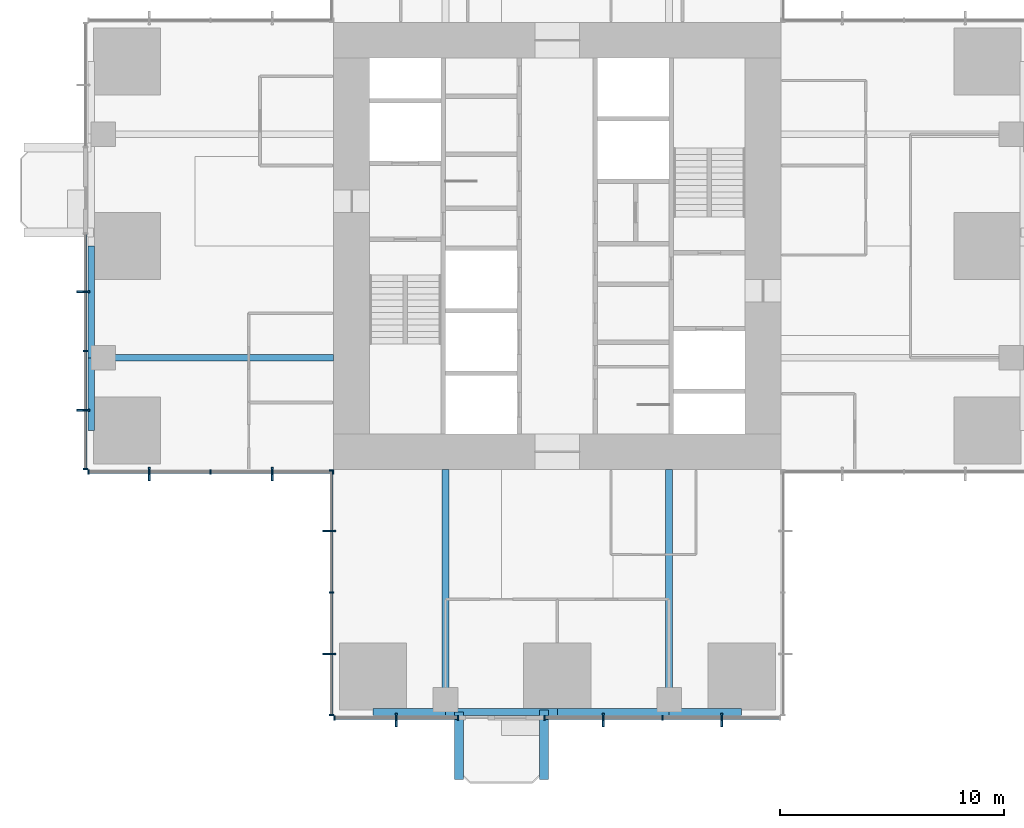
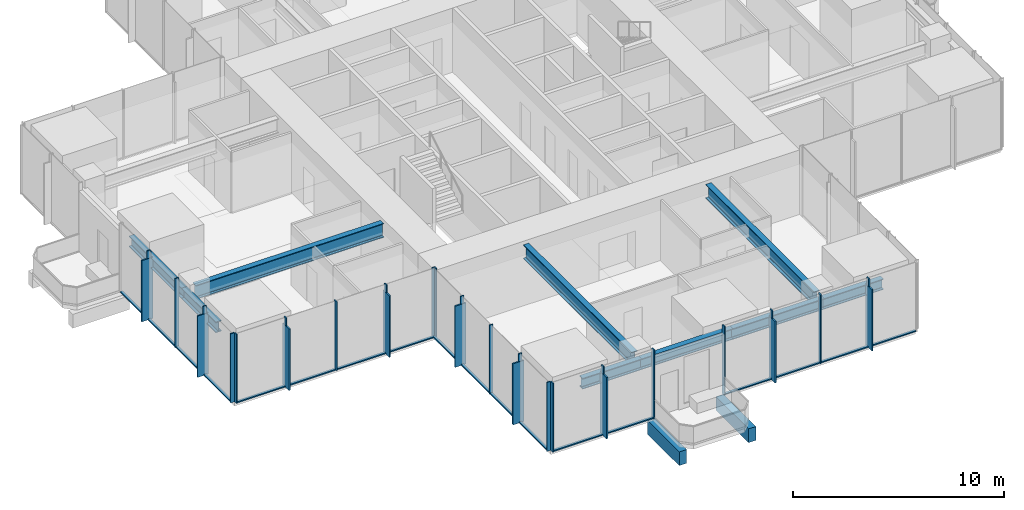
# One storey, part 2 of 13: 48 members, 11 beams, 5 elements without a shape of their own.
"""IFC4 building model written with IfcOpenShell, lengths in metres."""

from ifc_helpers import new_model, si_unit, direction, frame, origin, origin_2d, place, context, subcontext, project, spatial, rectangle, i_section, extrude, material, material_profile, profile_set, type_object, element, aggregate, save


model = new_model("IFC4")

# Units and contexts
model_context = context("Model", 3, precision=1e-05, world=origin(), true_north=direction((0.0, 1.0)))
body_context = subcontext(model_context, "Body", "Model", "MODEL_VIEW")
ifc_project = project(units=[si_unit("LENGTHUNIT", "METRE"), si_unit("AREAUNIT", "SQUARE_METRE"), si_unit("VOLUMEUNIT", "CUBIC_METRE"), si_unit("PLANEANGLEUNIT", "RADIAN"), si_unit("MASSUNIT", "GRAM", prefix="KILO")], contexts=[model_context])

# Site, building, storey
site_placement = place(None, origin())
site = spatial("IfcSite", under=ifc_project, at=site_placement, CompositionType="ELEMENT")
building_placement = place(site_placement, origin())
building = spatial("IfcBuilding", under=site, at=building_placement, Name="Svetlomir Tower", CompositionType="ELEMENT")
storey_placement = place(building_placement, frame((0.0, 0.0, 156.5)))
storey = spatial("IfcBuildingStorey", under=building, at=storey_placement, Name="L37", CompositionType="ELEMENT", Elevation=156.5)

# Beams
ifc_material_1 = material(Name="Concrete C60/75", Category="concrete")
ifc_material_profile_1 = material_profile(ifc_material_1, rectangle(XDim=0.39990234375, YDim=0.800048828125, at=origin_2d()), Name="RC 400x800")
ifc_profile_set_1 = profile_set([ifc_material_profile_1], Name="Concrete C60/75")
beam_type_1 = type_object("IfcBeamType", Name="BALCONY RIB RC 400x800", PredefinedType="BEAM", material=ifc_profile_set_1)
beam_1_placement = place(storey_placement, frame((16.60009765625, 0.14990234375, -0.64990234375), z_axis=(0.0, -1.0, 0.0), x_axis=(1.0, 0.0, 0.0)))
element("IfcBeam", 1, at=beam_1_placement, inside=storey, type_object=beam_type_1, Name="Balcony rib S 1 L37", PredefinedType="BEAM", context=body_context, shape_type="SweptSolid", body=[
    extrude(rectangle(XDim=0.39990234375, YDim=0.800048828125, at=origin_2d()), origin(), (0.0, 0.0, 1.0), 3.0),
])
beam_2_placement = place(storey_placement, frame((20.39990234375, 0.25, -0.64990234375), z_axis=(0.0, -1.0, 0.0), x_axis=(1.0, 0.0, 0.0)))
element("IfcBeam", 2, at=beam_2_placement, inside=storey, type_object=beam_type_1, Name="Balcony rib S 2 L37", PredefinedType="BEAM", context=body_context, shape_type="SweptSolid", body=[
    extrude(rectangle(XDim=0.39990234375, YDim=0.800048828125, at=origin_2d()), origin(), (0.0, 0.0, 1.0), 3.10009765625),
])

# Curtain wall, member
ifc_material_2 = material(Name="Bronze anodised aluminium curtain wall", Category="aluminium")
curtain_wall_type = type_object("IfcCurtainWallType", Name="CURTAIN WALL CW1 TOWER OFFICE", PredefinedType="NOTDEFINED", material=ifc_material_2)
curtain_wall_1_placement = place(storey_placement, origin())
curtain_wall_1 = element("IfcCurtainWall", 3, at=curtain_wall_1_placement, inside=storey, type_object=curtain_wall_type, Name="Curtain wall CW1 L37", PredefinedType="NOTDEFINED")
ifc_material_3 = material(Name="Bronze anodised aluminium", Category="aluminium")
ifc_material_profile_2 = material_profile(ifc_material_3, rectangle(XDim=0.080078125, YDim=0.60009765625, at=origin_2d()), Name="FIN 80x600")
ifc_profile_set_2 = profile_set([ifc_material_profile_2], Name="Bronze anodised aluminium 6063-T6")
member_type_1 = type_object("IfcMemberType", Name="BRONZE FIN 80x600", PredefinedType="USERDEFINED", material=ifc_profile_set_2)
member_1_placement = place(storey_placement, frame((13.800048828125, -0.199951171875, 0.0), z_axis=(0.0, 0.0, 1.0), x_axis=(1.0, 0.0, 0.0)))
member_1 = element("IfcMember", 4, at=member_1_placement, type_object=member_type_1, Name="Bronze fin L37", ObjectType="FIN", PredefinedType="USERDEFINED", context=body_context, shape_type="SweptSolid", body=[
    extrude(rectangle(XDim=0.080078125, YDim=0.60009765625, at=origin_2d()), origin(), (0.0, 0.0, 1.0), 3.550048828125),
])

# Curtain wall, members
curtain_wall_2_placement = place(storey_placement, origin())
curtain_wall_2 = element("IfcCurtainWall", 5, at=curtain_wall_2_placement, inside=storey, type_object=curtain_wall_type, Name="Curtain wall CW1 L37", PredefinedType="NOTDEFINED")
member_2_placement = place(storey_placement, frame((23.050048828125, -0.199951171875, 0.0), z_axis=(0.0, 0.0, 1.0), x_axis=(1.0, 0.0, 0.0)))
member_2 = element("IfcMember", 6, at=member_2_placement, type_object=member_type_1, Name="Bronze fin L37", ObjectType="FIN", PredefinedType="USERDEFINED", context=body_context, shape_type="SweptSolid", body=[
    extrude(rectangle(XDim=0.080078125, YDim=0.60009765625, at=origin_2d()), origin(), (0.0, 0.0, 1.0), 3.550048828125),
])
member_3_placement = place(storey_placement, frame((28.35009765625, -0.199951171875, 0.0), z_axis=(0.0, 0.0, 1.0), x_axis=(1.0, 0.0, 0.0)))
member_3 = element("IfcMember", 7, at=member_3_placement, type_object=member_type_1, Name="Bronze fin L37", ObjectType="FIN", PredefinedType="USERDEFINED", context=body_context, shape_type="SweptSolid", body=[
    extrude(rectangle(XDim=0.080078125, YDim=0.60009765625, at=origin_2d()), origin(), (0.0, 0.0, 1.0), 3.550048828125),
])

curtain_wall_3_placement = place(storey_placement, origin())
curtain_wall_3 = element("IfcCurtainWall", 8, at=curtain_wall_3_placement, inside=storey, type_object=curtain_wall_type, Name="Curtain wall CW1 L37", PredefinedType="NOTDEFINED")
member_4_placement = place(storey_placement, frame((-0.199951171875, 18.949951171875, 0.0), z_axis=(0.0, 0.0, 1.0), x_axis=(0.0, 1.0, 0.0)))
member_4 = element("IfcMember", 9, at=member_4_placement, type_object=member_type_1, Name="Bronze fin L37", ObjectType="FIN", PredefinedType="USERDEFINED", context=body_context, shape_type="SweptSolid", body=[
    extrude(rectangle(XDim=0.080078125, YDim=0.60009765625, at=origin_2d()), origin(), (0.0, 0.0, 1.0), 3.550048828125),
])
member_5_placement = place(storey_placement, frame((-0.199951171875, 13.64990234375, 0.0), z_axis=(0.0, 0.0, 1.0), x_axis=(0.0, 1.0, 0.0)))
member_5 = element("IfcMember", 10, at=member_5_placement, type_object=member_type_1, Name="Bronze fin L37", ObjectType="FIN", PredefinedType="USERDEFINED", context=body_context, shape_type="SweptSolid", body=[
    extrude(rectangle(XDim=0.080078125, YDim=0.60009765625, at=origin_2d()), origin(), (0.0, 0.0, 1.0), 3.550048828125),
])

curtain_wall_4_placement = place(storey_placement, origin())
curtain_wall_4 = element("IfcCurtainWall", 11, at=curtain_wall_4_placement, inside=storey, type_object=curtain_wall_type, Name="Curtain wall CW1 L37", PredefinedType="NOTDEFINED")
member_6_placement = place(storey_placement, frame((2.75, 10.800048828125, 0.0), z_axis=(0.0, 0.0, 1.0), x_axis=(1.0, 0.0, 0.0)))
member_6 = element("IfcMember", 12, at=member_6_placement, type_object=member_type_1, Name="Bronze fin L37", ObjectType="FIN", PredefinedType="USERDEFINED", context=body_context, shape_type="SweptSolid", body=[
    extrude(rectangle(XDim=0.080078125, YDim=0.60009765625, at=origin_2d()), origin(), (0.0, 0.0, 1.0), 3.550048828125),
])
member_7_placement = place(storey_placement, frame((8.25, 10.800048828125, 0.0), z_axis=(0.0, 0.0, 1.0), x_axis=(1.0, 0.0, 0.0)))
member_7 = element("IfcMember", 13, at=member_7_placement, type_object=member_type_1, Name="Bronze fin L37", ObjectType="FIN", PredefinedType="USERDEFINED", context=body_context, shape_type="SweptSolid", body=[
    extrude(rectangle(XDim=0.080078125, YDim=0.60009765625, at=origin_2d()), origin(), (0.0, 0.0, 1.0), 3.550048828125),
])

curtain_wall_5_placement = place(storey_placement, origin())
curtain_wall_5 = element("IfcCurtainWall", 14, at=curtain_wall_5_placement, inside=storey, type_object=curtain_wall_type, Name="Curtain wall CW1 L37", PredefinedType="NOTDEFINED")
member_8_placement = place(storey_placement, frame((10.800048828125, 8.25, 0.0), z_axis=(0.0, 0.0, 1.0), x_axis=(0.0, 1.0, 0.0)))
member_8 = element("IfcMember", 15, at=member_8_placement, type_object=member_type_1, Name="Bronze fin L37", ObjectType="FIN", PredefinedType="USERDEFINED", context=body_context, shape_type="SweptSolid", body=[
    extrude(rectangle(XDim=0.080078125, YDim=0.60009765625, at=origin_2d()), origin(), (0.0, 0.0, 1.0), 3.550048828125),
])
member_9_placement = place(storey_placement, frame((10.800048828125, 2.75, 0.0), z_axis=(0.0, 0.0, 1.0), x_axis=(0.0, 1.0, 0.0)))
member_9 = element("IfcMember", 16, at=member_9_placement, type_object=member_type_1, Name="Bronze fin L37", ObjectType="FIN", PredefinedType="USERDEFINED", context=body_context, shape_type="SweptSolid", body=[
    extrude(rectangle(XDim=0.080078125, YDim=0.60009765625, at=origin_2d()), origin(), (0.0, 0.0, 1.0), 3.550048828125),
])

# Member
ifc_material_4 = material(Name="Bronze anodised aluminium", Category="aluminium")
ifc_material_profile_3 = material_profile(ifc_material_4, rectangle(XDim=0.06494140625, YDim=0.199951171875, at=origin_2d()), Name="AL 65x200")
ifc_profile_set_3 = profile_set([ifc_material_profile_3], Name="Bronze anodised aluminium 6063-T6")
member_type_2 = type_object("IfcMemberType", Name="CW1 MULLION 65x200", PredefinedType="MULLION", material=ifc_profile_set_3)
member_10_placement = place(storey_placement, frame((11.032470703125, -0.10009765625, 0.0), z_axis=(0.0, 0.0, 1.0), x_axis=(1.0, 0.0, 0.0)))
member_10 = element("IfcMember", 17, at=member_10_placement, type_object=member_type_2, Name="CW1 mullion 1", PredefinedType="MULLION", context=body_context, shape_type="SweptSolid", body=[
    extrude(rectangle(XDim=0.06494140625, YDim=0.199951171875, at=origin_2d()), origin(), (0.0, 0.0, 1.0), 4.0),
])

member_11_placement = place(storey_placement, frame((13.800048828125, -0.10009765625, 0.0), z_axis=(0.0, 0.0, 1.0), x_axis=(1.0, 0.0, 0.0)))
member_11 = element("IfcMember", 18, at=member_11_placement, type_object=member_type_2, Name="CW1 mullion 2", PredefinedType="MULLION", context=body_context, shape_type="SweptSolid", body=[
    extrude(rectangle(XDim=0.06494140625, YDim=0.199951171875, at=origin_2d()), origin(), (0.0, 0.0, 1.0), 4.0),
])

member_12_placement = place(storey_placement, frame((16.5673828125, -0.10009765625, 0.0), z_axis=(0.0, 0.0, 1.0), x_axis=(1.0, 0.0, 0.0)))
member_12 = element("IfcMember", 19, at=member_12_placement, type_object=member_type_2, Name="CW1 mullion 3", PredefinedType="MULLION", context=body_context, shape_type="SweptSolid", body=[
    extrude(rectangle(XDim=0.06494140625, YDim=0.199951171875, at=origin_2d()), origin(), (0.0, 0.0, 1.0), 4.0),
])

member_13_placement = place(storey_placement, frame((20.4326171875, -0.10009765625, 0.0), z_axis=(0.0, 0.0, 1.0), x_axis=(1.0, 0.0, 0.0)))
member_13 = element("IfcMember", 20, at=member_13_placement, type_object=member_type_2, Name="CW1 mullion 1", PredefinedType="MULLION", context=body_context, shape_type="SweptSolid", body=[
    extrude(rectangle(XDim=0.06494140625, YDim=0.199951171875, at=origin_2d()), origin(), (0.0, 0.0, 1.0), 4.0),
])

member_14_placement = place(storey_placement, frame((23.050048828125, -0.10009765625, 0.0), z_axis=(0.0, 0.0, 1.0), x_axis=(1.0, 0.0, 0.0)))
member_14 = element("IfcMember", 21, at=member_14_placement, type_object=member_type_2, Name="CW1 mullion 2", PredefinedType="MULLION", context=body_context, shape_type="SweptSolid", body=[
    extrude(rectangle(XDim=0.06494140625, YDim=0.199951171875, at=origin_2d()), origin(), (0.0, 0.0, 1.0), 4.0),
])

member_15_placement = place(storey_placement, frame((25.699951171875, -0.10009765625, 0.0), z_axis=(0.0, 0.0, 1.0), x_axis=(1.0, 0.0, 0.0)))
member_15 = element("IfcMember", 22, at=member_15_placement, type_object=member_type_2, Name="CW1 mullion 3", PredefinedType="MULLION", context=body_context, shape_type="SweptSolid", body=[
    extrude(rectangle(XDim=0.06494140625, YDim=0.199951171875, at=origin_2d()), origin(), (0.0, 0.0, 1.0), 4.0),
])

member_16_placement = place(storey_placement, frame((28.35009765625, -0.10009765625, 0.0), z_axis=(0.0, 0.0, 1.0), x_axis=(1.0, 0.0, 0.0)))
member_16 = element("IfcMember", 23, at=member_16_placement, type_object=member_type_2, Name="CW1 mullion 4", PredefinedType="MULLION", context=body_context, shape_type="SweptSolid", body=[
    extrude(rectangle(XDim=0.06494140625, YDim=0.199951171875, at=origin_2d()), origin(), (0.0, 0.0, 1.0), 4.0),
])

member_17_placement = place(storey_placement, frame((-0.10009765625, 18.949951171875, 0.0), z_axis=(0.0, 0.0, 1.0), x_axis=(0.0, -1.0, 0.0)))
member_17 = element("IfcMember", 24, at=member_17_placement, type_object=member_type_2, Name="CW1 mullion 2", PredefinedType="MULLION", context=body_context, shape_type="SweptSolid", body=[
    extrude(rectangle(XDim=0.06494140625, YDim=0.199951171875, at=origin_2d()), origin(), (0.0, 0.0, 1.0), 4.0),
])

member_18_placement = place(storey_placement, frame((-0.10009765625, 16.300048828125, 0.0), z_axis=(0.0, 0.0, 1.0), x_axis=(0.0, -1.0, 0.0)))
member_18 = element("IfcMember", 25, at=member_18_placement, type_object=member_type_2, Name="CW1 mullion 3", PredefinedType="MULLION", context=body_context, shape_type="SweptSolid", body=[
    extrude(rectangle(XDim=0.06494140625, YDim=0.199951171875, at=origin_2d()), origin(), (0.0, 0.0, 1.0), 4.0),
])

member_19_placement = place(storey_placement, frame((-0.10009765625, 13.64990234375, 0.0), z_axis=(0.0, 0.0, 1.0), x_axis=(0.0, -1.0, 0.0)))
member_19 = element("IfcMember", 26, at=member_19_placement, type_object=member_type_2, Name="CW1 mullion 4", PredefinedType="MULLION", context=body_context, shape_type="SweptSolid", body=[
    extrude(rectangle(XDim=0.06494140625, YDim=0.199951171875, at=origin_2d()), origin(), (0.0, 0.0, 1.0), 4.0),
])

member_20_placement = place(storey_placement, frame((-0.10009765625, 11.032470703125, 0.0), z_axis=(0.0, 0.0, 1.0), x_axis=(0.0, -1.0, 0.0)))
member_20 = element("IfcMember", 27, at=member_20_placement, type_object=member_type_2, Name="CW1 mullion 5", PredefinedType="MULLION", context=body_context, shape_type="SweptSolid", body=[
    extrude(rectangle(XDim=0.06494140625, YDim=0.199951171875, at=origin_2d()), origin(), (0.0, 0.0, 1.0), 4.0),
])

member_21_placement = place(storey_placement, frame((0.032470703125, 10.89990234375, 0.0), z_axis=(0.0, 0.0, 1.0), x_axis=(1.0, 0.0, 0.0)))
member_21 = element("IfcMember", 28, at=member_21_placement, type_object=member_type_2, Name="CW1 mullion 1", PredefinedType="MULLION", context=body_context, shape_type="SweptSolid", body=[
    extrude(rectangle(XDim=0.06494140625, YDim=0.199951171875, at=origin_2d()), origin(), (0.0, 0.0, 1.0), 4.0),
])

member_22_placement = place(storey_placement, frame((2.75, 10.89990234375, 0.0), z_axis=(0.0, 0.0, 1.0), x_axis=(1.0, 0.0, 0.0)))
member_22 = element("IfcMember", 29, at=member_22_placement, type_object=member_type_2, Name="CW1 mullion 2", PredefinedType="MULLION", context=body_context, shape_type="SweptSolid", body=[
    extrude(rectangle(XDim=0.06494140625, YDim=0.199951171875, at=origin_2d()), origin(), (0.0, 0.0, 1.0), 4.0),
])

member_23_placement = place(storey_placement, frame((5.5, 10.89990234375, 0.0), z_axis=(0.0, 0.0, 1.0), x_axis=(1.0, 0.0, 0.0)))
member_23 = element("IfcMember", 30, at=member_23_placement, type_object=member_type_2, Name="CW1 mullion 3", PredefinedType="MULLION", context=body_context, shape_type="SweptSolid", body=[
    extrude(rectangle(XDim=0.06494140625, YDim=0.199951171875, at=origin_2d()), origin(), (0.0, 0.0, 1.0), 4.0),
])

member_24_placement = place(storey_placement, frame((8.25, 10.89990234375, 0.0), z_axis=(0.0, 0.0, 1.0), x_axis=(1.0, 0.0, 0.0)))
member_24 = element("IfcMember", 31, at=member_24_placement, type_object=member_type_2, Name="CW1 mullion 4", PredefinedType="MULLION", context=body_context, shape_type="SweptSolid", body=[
    extrude(rectangle(XDim=0.06494140625, YDim=0.199951171875, at=origin_2d()), origin(), (0.0, 0.0, 1.0), 4.0),
])

member_25_placement = place(storey_placement, frame((10.967529296875, 10.89990234375, 0.0), z_axis=(0.0, 0.0, 1.0), x_axis=(1.0, 0.0, 0.0)))
member_25 = element("IfcMember", 32, at=member_25_placement, type_object=member_type_2, Name="CW1 mullion 5", PredefinedType="MULLION", context=body_context, shape_type="SweptSolid", body=[
    extrude(rectangle(XDim=0.06494140625, YDim=0.199951171875, at=origin_2d()), origin(), (0.0, 0.0, 1.0), 4.0),
])

member_26_placement = place(storey_placement, frame((10.89990234375, 10.967529296875, 0.0), z_axis=(0.0, 0.0, 1.0), x_axis=(0.0, -1.0, 0.0)))
member_26 = element("IfcMember", 33, at=member_26_placement, type_object=member_type_2, Name="CW1 mullion 1", PredefinedType="MULLION", context=body_context, shape_type="SweptSolid", body=[
    extrude(rectangle(XDim=0.06494140625, YDim=0.199951171875, at=origin_2d()), origin(), (0.0, 0.0, 1.0), 4.0),
])

member_27_placement = place(storey_placement, frame((10.89990234375, 8.25, 0.0), z_axis=(0.0, 0.0, 1.0), x_axis=(0.0, -1.0, 0.0)))
member_27 = element("IfcMember", 34, at=member_27_placement, type_object=member_type_2, Name="CW1 mullion 2", PredefinedType="MULLION", context=body_context, shape_type="SweptSolid", body=[
    extrude(rectangle(XDim=0.06494140625, YDim=0.199951171875, at=origin_2d()), origin(), (0.0, 0.0, 1.0), 4.0),
])

member_28_placement = place(storey_placement, frame((10.89990234375, 5.5, 0.0), z_axis=(0.0, 0.0, 1.0), x_axis=(0.0, -1.0, 0.0)))
member_28 = element("IfcMember", 35, at=member_28_placement, type_object=member_type_2, Name="CW1 mullion 3", PredefinedType="MULLION", context=body_context, shape_type="SweptSolid", body=[
    extrude(rectangle(XDim=0.06494140625, YDim=0.199951171875, at=origin_2d()), origin(), (0.0, 0.0, 1.0), 4.0),
])

member_29_placement = place(storey_placement, frame((10.89990234375, 2.75, 0.0), z_axis=(0.0, 0.0, 1.0), x_axis=(0.0, -1.0, 0.0)))
member_29 = element("IfcMember", 36, at=member_29_placement, type_object=member_type_2, Name="CW1 mullion 4", PredefinedType="MULLION", context=body_context, shape_type="SweptSolid", body=[
    extrude(rectangle(XDim=0.06494140625, YDim=0.199951171875, at=origin_2d()), origin(), (0.0, 0.0, 1.0), 4.0),
])

member_30_placement = place(storey_placement, frame((10.89990234375, 0.032470703125, 0.0), z_axis=(0.0, 0.0, 1.0), x_axis=(0.0, -1.0, 0.0)))
member_30 = element("IfcMember", 37, at=member_30_placement, type_object=member_type_2, Name="CW1 mullion 5", PredefinedType="MULLION", context=body_context, shape_type="SweptSolid", body=[
    extrude(rectangle(XDim=0.06494140625, YDim=0.199951171875, at=origin_2d()), origin(), (0.0, 0.0, 1.0), 4.0),
])

ifc_material_5 = material(Name="Bronze anodised aluminium", Category="aluminium")
ifc_material_profile_4 = material_profile(ifc_material_5, rectangle(XDim=0.139892578125, YDim=0.06494140625, at=origin_2d()), Name="AL 140x65")
ifc_profile_set_4 = profile_set([ifc_material_profile_4], Name="Bronze anodised aluminium 6063-T6")
member_type_3 = type_object("IfcMemberType", Name="CW1 TRANSOM 65x140", PredefinedType="USERDEFINED", material=ifc_profile_set_4)
member_31_placement = place(storey_placement, frame((11.06494140625, -0.10009765625, 0.032470703125), z_axis=(1.0, 0.0, 0.0), x_axis=(0.0, 1.0, 0.0)))
member_31 = element("IfcMember", 38, at=member_31_placement, type_object=member_type_3, Name="CW1 transom 1.1", ObjectType="TRANSOM", PredefinedType="USERDEFINED", context=body_context, shape_type="SweptSolid", body=[
    extrude(rectangle(XDim=0.139892578125, YDim=0.06494140625, at=origin_2d()), origin(), (0.0, 0.0, 1.0), 2.70263671875),
])

member_32_placement = place(storey_placement, frame((13.83251953125, -0.10009765625, 0.032470703125), z_axis=(1.0, 0.0, 0.0), x_axis=(0.0, 1.0, 0.0)))
member_32 = element("IfcMember", 39, at=member_32_placement, type_object=member_type_3, Name="CW1 transom 2.1", ObjectType="TRANSOM", PredefinedType="USERDEFINED", context=body_context, shape_type="SweptSolid", body=[
    extrude(rectangle(XDim=0.139892578125, YDim=0.06494140625, at=origin_2d()), origin(), (0.0, 0.0, 1.0), 2.702392578125),
])

aggregate(curtain_wall_1, [member_10, member_11, member_12, member_31, member_32, member_1])

member_33_placement = place(storey_placement, frame((20.465087890625, -0.10009765625, 0.032470703125), z_axis=(1.0, 0.0, 0.0), x_axis=(0.0, 1.0, 0.0)))
member_33 = element("IfcMember", 40, at=member_33_placement, type_object=member_type_3, Name="CW1 transom 1.1", ObjectType="TRANSOM", PredefinedType="USERDEFINED", context=body_context, shape_type="SweptSolid", body=[
    extrude(rectangle(XDim=0.139892578125, YDim=0.06494140625, at=origin_2d()), origin(), (0.0, 0.0, 1.0), 2.552490234375),
])

member_34_placement = place(storey_placement, frame((23.08251953125, -0.10009765625, 0.032470703125), z_axis=(1.0, 0.0, 0.0), x_axis=(0.0, 1.0, 0.0)))
member_34 = element("IfcMember", 41, at=member_34_placement, type_object=member_type_3, Name="CW1 transom 2.1", ObjectType="TRANSOM", PredefinedType="USERDEFINED", context=body_context, shape_type="SweptSolid", body=[
    extrude(rectangle(XDim=0.139892578125, YDim=0.06494140625, at=origin_2d()), origin(), (0.0, 0.0, 1.0), 2.5849609375),
])

member_35_placement = place(storey_placement, frame((25.732421875, -0.10009765625, 0.032470703125), z_axis=(1.0, 0.0, 0.0), x_axis=(0.0, 1.0, 0.0)))
member_35 = element("IfcMember", 42, at=member_35_placement, type_object=member_type_3, Name="CW1 transom 3.1", ObjectType="TRANSOM", PredefinedType="USERDEFINED", context=body_context, shape_type="SweptSolid", body=[
    extrude(rectangle(XDim=0.139892578125, YDim=0.06494140625, at=origin_2d()), origin(), (0.0, 0.0, 1.0), 2.5849609375),
])

member_36_placement = place(storey_placement, frame((28.382568359375, -0.10009765625, 0.032470703125), z_axis=(1.0, 0.0, 0.0), x_axis=(0.0, 1.0, 0.0)))
member_36 = element("IfcMember", 43, at=member_36_placement, type_object=member_type_3, Name="CW1 transom 4.1", ObjectType="TRANSOM", PredefinedType="USERDEFINED", context=body_context, shape_type="SweptSolid", body=[
    extrude(rectangle(XDim=0.139892578125, YDim=0.06494140625, at=origin_2d()), origin(), (0.0, 0.0, 1.0), 2.552490234375),
])

aggregate(curtain_wall_2, [member_13, member_14, member_15, member_16, member_33, member_34, member_35, member_36, member_2, member_3])

member_37_placement = place(storey_placement, frame((-0.10009765625, 21.534912109375, 0.032470703125), z_axis=(0.0, -1.0, 0.0), x_axis=(1.0, 0.0, 0.0)))
member_37 = element("IfcMember", 44, at=member_37_placement, type_object=member_type_3, Name="CW1 transom 1.1", ObjectType="TRANSOM", PredefinedType="USERDEFINED", context=body_context, shape_type="SweptSolid", body=[
    extrude(rectangle(XDim=0.139892578125, YDim=0.06494140625, at=origin_2d()), origin(), (0.0, 0.0, 1.0), 2.552490234375),
])

member_38_placement = place(storey_placement, frame((-0.10009765625, 18.91748046875, 0.032470703125), z_axis=(0.0, -1.0, 0.0), x_axis=(1.0, 0.0, 0.0)))
member_38 = element("IfcMember", 45, at=member_38_placement, type_object=member_type_3, Name="CW1 transom 2.1", ObjectType="TRANSOM", PredefinedType="USERDEFINED", context=body_context, shape_type="SweptSolid", body=[
    extrude(rectangle(XDim=0.139892578125, YDim=0.06494140625, at=origin_2d()), origin(), (0.0, 0.0, 1.0), 2.5849609375),
])

member_39_placement = place(storey_placement, frame((-0.10009765625, 16.267578125, 0.032470703125), z_axis=(0.0, -1.0, 0.0), x_axis=(1.0, 0.0, 0.0)))
member_39 = element("IfcMember", 46, at=member_39_placement, type_object=member_type_3, Name="CW1 transom 3.1", ObjectType="TRANSOM", PredefinedType="USERDEFINED", context=body_context, shape_type="SweptSolid", body=[
    extrude(rectangle(XDim=0.139892578125, YDim=0.06494140625, at=origin_2d()), origin(), (0.0, 0.0, 1.0), 2.5849609375),
])

member_40_placement = place(storey_placement, frame((-0.10009765625, 13.617431640625, 0.032470703125), z_axis=(0.0, -1.0, 0.0), x_axis=(1.0, 0.0, 0.0)))
member_40 = element("IfcMember", 47, at=member_40_placement, type_object=member_type_3, Name="CW1 transom 4.1", ObjectType="TRANSOM", PredefinedType="USERDEFINED", context=body_context, shape_type="SweptSolid", body=[
    extrude(rectangle(XDim=0.139892578125, YDim=0.06494140625, at=origin_2d()), origin(), (0.0, 0.0, 1.0), 2.552490234375),
])

aggregate(curtain_wall_3, [member_17, member_18, member_19, member_20, member_37, member_38, member_39, member_40, member_4, member_5])

member_41_placement = place(storey_placement, frame((0.06494140625, 10.89990234375, 0.032470703125), z_axis=(1.0, 0.0, 0.0), x_axis=(0.0, 1.0, 0.0)))
member_41 = element("IfcMember", 48, at=member_41_placement, type_object=member_type_3, Name="CW1 transom 1.1", ObjectType="TRANSOM", PredefinedType="USERDEFINED", context=body_context, shape_type="SweptSolid", body=[
    extrude(rectangle(XDim=0.139892578125, YDim=0.06494140625, at=origin_2d()), origin(), (0.0, 0.0, 1.0), 2.652587890625),
])

member_42_placement = place(storey_placement, frame((2.782470703125, 10.89990234375, 0.032470703125), z_axis=(1.0, 0.0, 0.0), x_axis=(0.0, 1.0, 0.0)))
member_42 = element("IfcMember", 49, at=member_42_placement, type_object=member_type_3, Name="CW1 transom 2.1", ObjectType="TRANSOM", PredefinedType="USERDEFINED", context=body_context, shape_type="SweptSolid", body=[
    extrude(rectangle(XDim=0.139892578125, YDim=0.06494140625, at=origin_2d()), origin(), (0.0, 0.0, 1.0), 2.68505859375),
])

member_43_placement = place(storey_placement, frame((5.532470703125, 10.89990234375, 0.032470703125), z_axis=(1.0, 0.0, 0.0), x_axis=(0.0, 1.0, 0.0)))
member_43 = element("IfcMember", 50, at=member_43_placement, type_object=member_type_3, Name="CW1 transom 3.1", ObjectType="TRANSOM", PredefinedType="USERDEFINED", context=body_context, shape_type="SweptSolid", body=[
    extrude(rectangle(XDim=0.139892578125, YDim=0.06494140625, at=origin_2d()), origin(), (0.0, 0.0, 1.0), 2.68505859375),
])

member_44_placement = place(storey_placement, frame((8.282470703125, 10.89990234375, 0.032470703125), z_axis=(1.0, 0.0, 0.0), x_axis=(0.0, 1.0, 0.0)))
member_44 = element("IfcMember", 51, at=member_44_placement, type_object=member_type_3, Name="CW1 transom 4.1", ObjectType="TRANSOM", PredefinedType="USERDEFINED", context=body_context, shape_type="SweptSolid", body=[
    extrude(rectangle(XDim=0.139892578125, YDim=0.06494140625, at=origin_2d()), origin(), (0.0, 0.0, 1.0), 2.652587890625),
])

aggregate(curtain_wall_4, [member_21, member_22, member_23, member_24, member_25, member_41, member_42, member_43, member_44, member_6, member_7])

member_45_placement = place(storey_placement, frame((10.89990234375, 10.93505859375, 0.032470703125), z_axis=(0.0, -1.0, 0.0), x_axis=(1.0, 0.0, 0.0)))
member_45 = element("IfcMember", 52, at=member_45_placement, type_object=member_type_3, Name="CW1 transom 1.1", ObjectType="TRANSOM", PredefinedType="USERDEFINED", context=body_context, shape_type="SweptSolid", body=[
    extrude(rectangle(XDim=0.139892578125, YDim=0.06494140625, at=origin_2d()), origin(), (0.0, 0.0, 1.0), 2.652587890625),
])

member_46_placement = place(storey_placement, frame((10.89990234375, 8.217529296875, 0.032470703125), z_axis=(0.0, -1.0, 0.0), x_axis=(1.0, 0.0, 0.0)))
member_46 = element("IfcMember", 53, at=member_46_placement, type_object=member_type_3, Name="CW1 transom 2.1", ObjectType="TRANSOM", PredefinedType="USERDEFINED", context=body_context, shape_type="SweptSolid", body=[
    extrude(rectangle(XDim=0.139892578125, YDim=0.06494140625, at=origin_2d()), origin(), (0.0, 0.0, 1.0), 2.68505859375),
])

member_47_placement = place(storey_placement, frame((10.89990234375, 5.467529296875, 0.032470703125), z_axis=(0.0, -1.0, 0.0), x_axis=(1.0, 0.0, 0.0)))
member_47 = element("IfcMember", 54, at=member_47_placement, type_object=member_type_3, Name="CW1 transom 3.1", ObjectType="TRANSOM", PredefinedType="USERDEFINED", context=body_context, shape_type="SweptSolid", body=[
    extrude(rectangle(XDim=0.139892578125, YDim=0.06494140625, at=origin_2d()), origin(), (0.0, 0.0, 1.0), 2.68505859375),
])

member_48_placement = place(storey_placement, frame((10.89990234375, 2.717529296875, 0.032470703125), z_axis=(0.0, -1.0, 0.0), x_axis=(1.0, 0.0, 0.0)))
member_48 = element("IfcMember", 55, at=member_48_placement, type_object=member_type_3, Name="CW1 transom 4.1", ObjectType="TRANSOM", PredefinedType="USERDEFINED", context=body_context, shape_type="SweptSolid", body=[
    extrude(rectangle(XDim=0.139892578125, YDim=0.06494140625, at=origin_2d()), origin(), (0.0, 0.0, 1.0), 2.652587890625),
])

aggregate(curtain_wall_5, [member_26, member_27, member_28, member_29, member_30, member_45, member_46, member_47, member_48, member_8, member_9])

# Beams
ifc_material_6 = material(Name="Steel S355", Category="steel")
ifc_material_profile_5 = material_profile(ifc_material_6, i_section(OverallWidth=0.304931640625, OverallDepth=0.6201171875, WebThickness=0.02099609375, FlangeThickness=0.0400390625, FilletRadius=0.027099609375, at=origin_2d()), Name="HEM 600")
ifc_profile_set_5 = profile_set([ifc_material_profile_5], Name="Steel S355")
beam_type_2 = type_object("IfcBeamType", Name="EDGE BEAM HEM 600", PredefinedType="SPANDREL", material=ifc_profile_set_5)
for number, where, z_axis, x_axis, name in (
    (56, (12.75, 0.152587890625, 3.239990234375), (1.0, 0.0, 0.0), (0.0, 1.0, 0.0), "Edge beam 11/0 to 16/0 under L38"),
    (57, (0.152587890625, 12.75, 3.239990234375), (0.0, 1.0, 0.0), (-1.0, 0.0, 0.0), "Edge beam 0/11 to 0/16 under L38"),
):
    element("IfcBeam", number, at=place(storey_placement, frame(where, z_axis=z_axis, x_axis=x_axis)), inside=storey, type_object=beam_type_2, Name=name, PredefinedType="SPANDREL", context=body_context, shape_type="SweptSolid", body=[
        extrude(i_section(OverallWidth=0.304931640625, OverallDepth=0.6201171875, WebThickness=0.02099609375, FlangeThickness=0.0400390625, FilletRadius=0.027099609375, at=origin_2d()), origin(), (0.0, 0.0, 1.0), 3.25),
    ])
for number, where, z_axis, x_axis, name in (
    (58, (16.0, 0.152587890625, 3.239990234375), (1.0, 0.0, 0.0), (0.0, 1.0, 0.0), "Edge beam 16/0 to 21/0 under L38"),
    (59, (0.152587890625, 16.0, 3.239990234375), (0.0, 1.0, 0.0), (-1.0, 0.0, 0.0), "Edge beam 0/16 to 0/21 under L38"),
    (60, (21.0, 0.152587890625, 3.239990234375), (1.0, 0.0, 0.0), (0.0, 1.0, 0.0), "Edge beam 21/0 to 26/0 under L38"),
):
    element("IfcBeam", number, at=place(storey_placement, frame(where, z_axis=z_axis, x_axis=x_axis)), inside=storey, type_object=beam_type_2, Name=name, PredefinedType="SPANDREL", context=body_context, shape_type="SweptSolid", body=[
        extrude(i_section(OverallWidth=0.304931640625, OverallDepth=0.6201171875, WebThickness=0.02099609375, FlangeThickness=0.0400390625, FilletRadius=0.027099609375, at=origin_2d()), origin(), (0.0, 0.0, 1.0), 5.0),
    ])
beam_3_placement = place(storey_placement, frame((26.0, 0.152587890625, 3.239990234375), z_axis=(1.0, 0.0, 0.0), x_axis=(0.0, 1.0, 0.0)))
element("IfcBeam", 61, at=beam_3_placement, inside=storey, type_object=beam_type_2, Name="Edge beam 26/0 to 31/0 under L38", PredefinedType="SPANDREL", context=body_context, shape_type="SweptSolid", body=[
    extrude(i_section(OverallWidth=0.304931640625, OverallDepth=0.6201171875, WebThickness=0.02099609375, FlangeThickness=0.0400390625, FilletRadius=0.027099609375, at=origin_2d()), origin(), (0.0, 0.0, 1.0), 3.25),
])
ifc_material_7 = material(Name="Steel S355", Category="steel")
ifc_material_profile_6 = material_profile(ifc_material_7, i_section(OverallWidth=0.302978515625, OverallDepth=0.81396484375, WebThickness=0.02099609375, FlangeThickness=0.0400390625, FilletRadius=0.030029296875, at=origin_2d()), Name="HEM 800")
ifc_profile_set_6 = profile_set([ifc_material_profile_6], Name="Steel S355")
beam_type_3 = type_object("IfcBeamType", Name="PLANT FLOOR BEAM HEM 800", PredefinedType="BEAM", material=ifc_profile_set_6)
for number, where, z_axis, x_axis, name in (
    (62, (16.0, 0.699951171875, 3.14306640625), (0.0, 1.0, 0.0), (-1.0, 0.0, 0.0), "Plant floor beam S 16 under L38"),
    (63, (0.699951171875, 16.0, 3.14306640625), (1.0, 0.0, 0.0), (0.0, 1.0, 0.0), "Plant floor beam W 16 under L38"),
    (64, (26.0, 0.699951171875, 3.14306640625), (0.0, 1.0, 0.0), (-1.0, 0.0, 0.0), "Plant floor beam S 26 under L38"),
):
    element("IfcBeam", number, at=place(storey_placement, frame(where, z_axis=z_axis, x_axis=x_axis)), inside=storey, type_object=beam_type_3, Name=name, PredefinedType="BEAM", context=body_context, shape_type="SweptSolid", body=[
        extrude(i_section(OverallWidth=0.302978515625, OverallDepth=0.81396484375, WebThickness=0.02099609375, FlangeThickness=0.0400390625, FilletRadius=0.030029296875, at=origin_2d()), origin(), (0.0, 0.0, 1.0), 10.300048828125),
    ])

save(model, "model.ifc")
